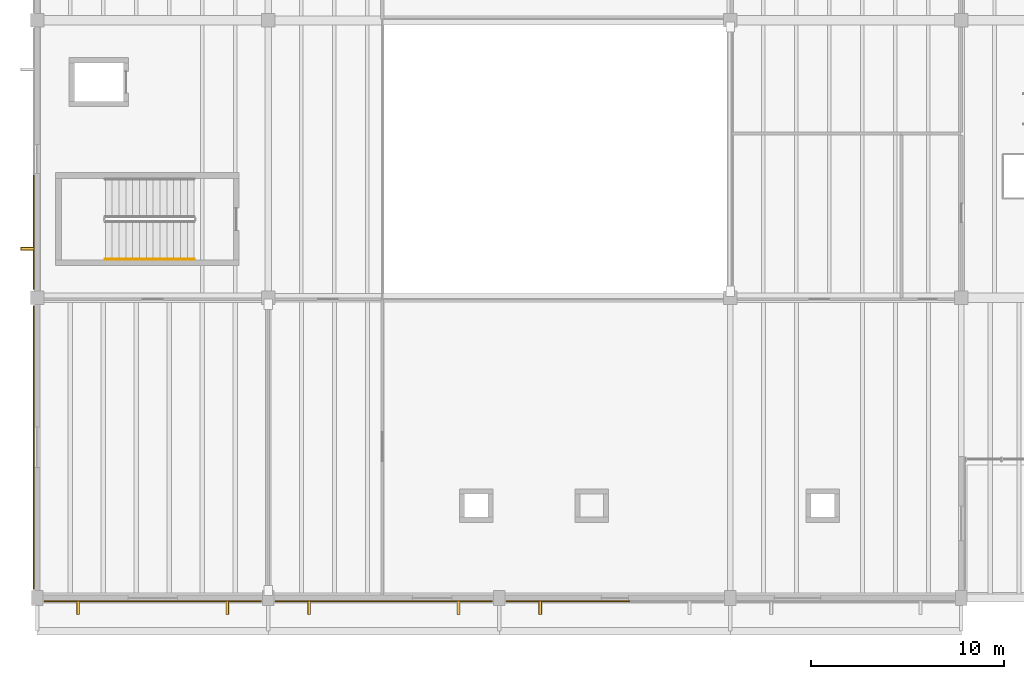
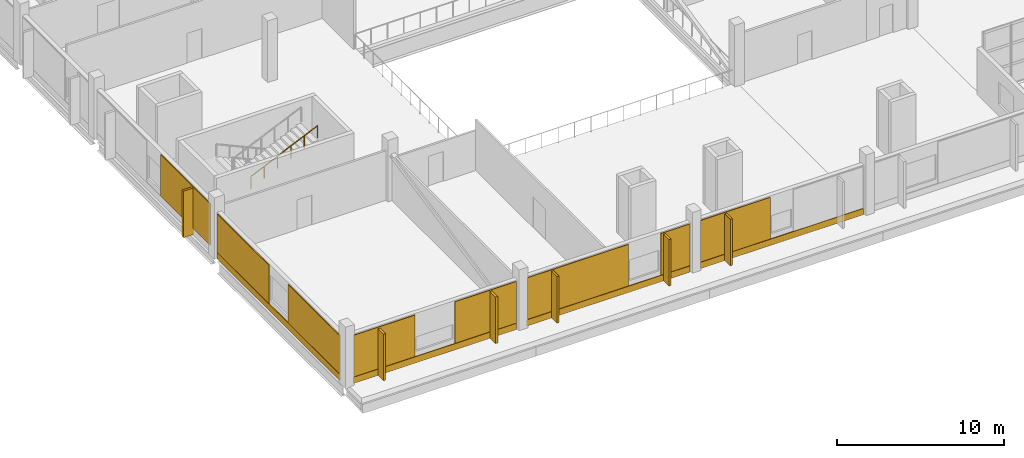
# One storey, part 100 of 114: 18 coverings, 6 shading devices, 1 railing.
"""IFC4 building model written with IfcOpenShell, lengths in metres."""

from ifc_helpers import new_model, si_unit, direction, frame, origin, origin_2d, place, context, subcontext, project, spatial, rectangle, circle, extrude, material, layer, layer_set, type_object, element, save


model = new_model("IFC4")

# Units and contexts
model_context = context("Model", 3, precision=1e-05, world=origin(), true_north=direction((0.0, 1.0)))
body_context = subcontext(model_context, "Body", "Model", "MODEL_VIEW")
ifc_project = project(units=[si_unit("LENGTHUNIT", "METRE"), si_unit("AREAUNIT", "SQUARE_METRE"), si_unit("VOLUMEUNIT", "CUBIC_METRE"), si_unit("PLANEANGLEUNIT", "RADIAN"), si_unit("MASSUNIT", "GRAM", prefix="KILO")], contexts=[model_context])

# Site, building, storey
site_placement = place(None, origin())
site = spatial("IfcSite", under=ifc_project, at=site_placement, CompositionType="ELEMENT")
building_placement = place(site_placement, origin())
building = spatial("IfcBuilding", under=site, at=building_placement, Name="Kelmvaro Bay Concert Hall", CompositionType="ELEMENT")
storey_placement = place(building_placement, frame((0.0, 0.0, 4.800048828125)))
storey = spatial("IfcBuildingStorey", under=building, at=storey_placement, Name="L01", CompositionType="ELEMENT", Elevation=4.800048828125)

# Shading devices
ifc_material_1 = material(Name="Anodised Extruded Aluminium 6063-T6", Category="aluminium")
ifc_layer_1 = layer(ifc_material_1, 3.39990234375)
ifc_layer_set_1 = layer_set([ifc_layer_1], Name="Anodised Extruded Aluminium 6063-T6")
shading_device_type = type_object("IfcShadingDeviceType", Name="Bauhaus Vertical Solar Brise-Soleil Fin 720x3400", PredefinedType="SHUTTER", material=ifc_layer_set_1)
for number, where, z_axis, x_axis, name in (
    (1, (9.8759765625, -0.506103515625, 0.06005859375), (0.0, 0.0, 1.0), (-1.0, 0.0, 0.0), "L01 Solar Brise-Soleil Fin 102"),
    (2, (2.1240234375, -0.506103515625, 0.06005859375), (0.0, 0.0, 1.0), (-1.0, 0.0, 0.0), "L01 Solar Brise-Soleil Fin 103"),
    (3, (21.8759765625, -0.506103515625, 0.06005859375), (0.0, 0.0, 1.0), (-1.0, 0.0, 0.0), "L01 Solar Brise-Soleil Fin 104"),
    (4, (14.1240234375, -0.506103515625, 0.06005859375), (0.0, 0.0, 1.0), (-1.0, 0.0, 0.0), "L01 Solar Brise-Soleil Fin 105"),
    (5, (26.1240234375, -0.506103515625, 0.06005859375), (0.0, 0.0, 1.0), (-1.0, 0.0, 0.0), "L01 Solar Brise-Soleil Fin 107"),
    (6, (-0.506103515625, 18.14208984375, 0.06005859375), (0.0, 0.0, 1.0), (0.0, 1.0, 0.0), "L01 Solar Brise-Soleil Fin 110"),
):
    element("IfcShadingDevice", number, at=place(storey_placement, frame(where, z_axis=z_axis, x_axis=x_axis)), inside=storey, type_object=shading_device_type, Name=name, PredefinedType="SHUTTER", context=body_context, shape_type="SweptSolid", body=[
        extrude(rectangle(XDim=0.159912109375, YDim=0.719970703125, at=origin_2d()), origin(), (0.0, 0.0, 1.0), 3.39990234375),
    ])

# Coverings
ifc_material_2 = material(Name="PVDF-Coated Architectural Aluminium", Category="aluminium")
ifc_layer_2 = layer(ifc_material_2, 0.0400390625)
ifc_layer_set_2 = layer_set([ifc_layer_2], Name="PVDF-Coated Architectural Aluminium")
covering_type_1 = type_object("IfcCoveringType", Name="De Stijl Enamelled Aluminium Fascia Panel 40", PredefinedType="CLADDING", material=ifc_layer_set_2)
for number, where, z_axis, x_axis, name in (
    (7, (9.8759765625, -0.506103515625, 0.06005859375), (0.0, 0.0, 1.0), (-1.0, 0.0, 0.0), "L01 Architectural Vertical Fin Cladding 0530"),
    (8, (2.1240234375, -0.506103515625, 0.06005859375), (0.0, 0.0, 1.0), (-1.0, 0.0, 0.0), "L01 Architectural Vertical Fin Cladding 0531"),
    (9, (21.8759765625, -0.506103515625, 0.06005859375), (0.0, 0.0, 1.0), (-1.0, 0.0, 0.0), "L01 Architectural Vertical Fin Cladding 0535"),
    (10, (14.1240234375, -0.506103515625, 0.06005859375), (0.0, 0.0, 1.0), (-1.0, 0.0, 0.0), "L01 Architectural Vertical Fin Cladding 0536"),
    (11, (26.1240234375, -0.506103515625, 0.06005859375), (0.0, 0.0, 1.0), (-1.0, 0.0, 0.0), "L01 Architectural Vertical Fin Cladding 0541"),
    (12, (-0.506103515625, 18.14208984375, 0.06005859375), (0.0, 0.0, 1.0), (0.0, 1.0, 0.0), "L01 Architectural Vertical Fin Cladding 0556"),
):
    element("IfcCovering", number, at=place(storey_placement, frame(where, z_axis=z_axis, x_axis=x_axis)), inside=storey, type_object=covering_type_1, Name=name, PredefinedType="CLADDING", context=body_context, shape_type="SweptSolid", body=[
        extrude(rectangle(XDim=0.139892578125, YDim=0.699951171875, at=origin_2d()), origin(), (0.0, 0.0, 1.0), 3.39990234375),
    ])
ifc_material_3 = material(Name="Honed Florida Limestone Travertine", Category="masonry")
ifc_layer_3 = layer(ifc_material_3, 0.054931640625)
ifc_layer_set_3 = layer_set([ifc_layer_3], Name="Honed Florida Limestone Travertine")
covering_type_2 = type_object("IfcCoveringType", Name="Honed Florida Travertine Rainscreen Cladding 55", PredefinedType="CLADDING", material=ifc_layer_set_3)
covering_1_placement = place(storey_placement, frame((6.0, -0.175537109375, 0.0400390625), z_axis=(0.0, 0.0, 1.0), x_axis=(-1.0, 0.0, 0.0)))
element("IfcCovering", 13, at=covering_1_placement, inside=storey, type_object=covering_type_2, Name="L01 Travertine Sill Band 0529", PredefinedType="CLADDING", context=body_context, shape_type="SweptSolid", body=[
    extrude(rectangle(XDim=11.280029296875, YDim=0.054931640625, at=origin_2d()), origin(), (0.0, 0.0, 1.0), 0.4599609375),
])
for number, where, z_axis, x_axis, name in (
    (14, (9.49755859375, -0.175537109375, 0.52001953125), (0.0, 0.0, 1.0), (-1.0, 0.0, 0.0), "L01 Travertine Pier Panel 0532"),
    (15, (2.50244140625, -0.175537109375, 0.52001953125), (0.0, 0.0, 1.0), (-1.0, 0.0, 0.0), "L01 Travertine Pier Panel 0533"),
):
    element("IfcCovering", number, at=place(storey_placement, frame(where, z_axis=z_axis, x_axis=x_axis)), inside=storey, type_object=covering_type_2, Name=name, PredefinedType="CLADDING", context=body_context, shape_type="SweptSolid", body=[
        extrude(rectangle(XDim=4.2451171875, YDim=0.054931640625, at=origin_2d()), origin(), (0.0, 0.0, 1.0), 3.04296875),
    ])
covering_2_placement = place(storey_placement, frame((18.0, -0.175537109375, 0.0400390625), z_axis=(0.0, 0.0, 1.0), x_axis=(-1.0, 0.0, 0.0)))
element("IfcCovering", 16, at=covering_2_placement, inside=storey, type_object=covering_type_2, Name="L01 Travertine Sill Band 0534", PredefinedType="CLADDING", context=body_context, shape_type="SweptSolid", body=[
    extrude(rectangle(XDim=11.280029296875, YDim=0.054931640625, at=origin_2d()), origin(), (0.0, 0.0, 1.0), 0.4599609375),
])
covering_3_placement = place(storey_placement, frame((22.62646484375, -0.175537109375, 0.52001953125), z_axis=(0.0, 0.0, 1.0), x_axis=(-1.0, 0.0, 0.0)))
element("IfcCovering", 17, at=covering_3_placement, inside=storey, type_object=covering_type_2, Name="L01 Travertine Pier Panel 0537", PredefinedType="CLADDING", context=body_context, shape_type="SweptSolid", body=[
    extrude(rectangle(XDim=1.987060546875, YDim=0.054931640625, at=origin_2d()), origin(), (0.0, 0.0, 1.0), 3.04296875),
])
covering_4_placement = place(storey_placement, frame((15.881591796875, -0.175537109375, 0.52001953125), z_axis=(0.0, 0.0, 1.0), x_axis=(-1.0, 0.0, 0.0)))
element("IfcCovering", 18, at=covering_4_placement, inside=storey, type_object=covering_type_2, Name="L01 Travertine Pier Panel 0538", PredefinedType="CLADDING", context=body_context, shape_type="SweptSolid", body=[
    extrude(rectangle(XDim=7.0029296875, YDim=0.054931640625, at=origin_2d()), origin(), (0.0, 0.0, 1.0), 3.04296875),
])
covering_5_placement = place(storey_placement, frame((30.0, -0.175537109375, 0.0400390625), z_axis=(0.0, 0.0, 1.0), x_axis=(-1.0, 0.0, 0.0)))
element("IfcCovering", 19, at=covering_5_placement, inside=storey, type_object=covering_type_2, Name="L01 Travertine Sill Band 0539", PredefinedType="CLADDING", context=body_context, shape_type="SweptSolid", body=[
    extrude(rectangle(XDim=11.280029296875, YDim=0.054931640625, at=origin_2d()), origin(), (0.0, 0.0, 1.0), 0.4599609375),
])
covering_6_placement = place(storey_placement, frame((26.7900390625, -0.175537109375, 0.52001953125), z_axis=(0.0, 0.0, 1.0), x_axis=(-1.0, 0.0, 0.0)))
element("IfcCovering", 20, at=covering_6_placement, inside=storey, type_object=covering_type_2, Name="L01 Travertine Pier Panel 0543", PredefinedType="CLADDING", context=body_context, shape_type="SweptSolid", body=[
    extrude(rectangle(XDim=4.820068359375, YDim=0.054931640625, at=origin_2d()), origin(), (0.0, 0.0, 1.0), 3.04296875),
])
covering_7_placement = place(storey_placement, frame((-0.175537109375, 7.824951171875, 0.0400390625), z_axis=(0.0, 0.0, 1.0), x_axis=(0.0, 1.0, 0.0)))
element("IfcCovering", 21, at=covering_7_placement, inside=storey, type_object=covering_type_2, Name="L01 Travertine Sill Band 0549", PredefinedType="CLADDING", context=body_context, shape_type="SweptSolid", body=[
    extrude(rectangle(XDim=14.72998046875, YDim=0.054931640625, at=origin_2d()), origin(), (0.0, 0.0, 1.0), 0.4599609375),
])
for number, where, z_axis, x_axis, name in (
    (22, (-0.175537109375, 3.577392578125, 0.52001953125), (0.0, 0.0, 1.0), (0.0, 1.0, 0.0), "L01 Travertine Pier Panel 0550"),
    (23, (-0.175537109375, 12.072509765625, 0.52001953125), (0.0, 0.0, 1.0), (0.0, 1.0, 0.0), "L01 Travertine Pier Panel 0551"),
):
    element("IfcCovering", number, at=place(storey_placement, frame(where, z_axis=z_axis, x_axis=x_axis)), inside=storey, type_object=covering_type_2, Name=name, PredefinedType="CLADDING", context=body_context, shape_type="SweptSolid", body=[
        extrude(rectangle(XDim=6.195068359375, YDim=0.054931640625, at=origin_2d()), origin(), (0.0, 0.0, 1.0), 2.803955078125),
    ])
covering_8_placement = place(storey_placement, frame((-0.175537109375, 18.989990234375, 0.52001953125), z_axis=(0.0, 0.0, 1.0), x_axis=(0.0, 1.0, 0.0)))
element("IfcCovering", 24, at=covering_8_placement, inside=storey, type_object=covering_type_2, Name="L01 Travertine Pier Panel 0558", PredefinedType="CLADDING", context=body_context, shape_type="SweptSolid", body=[
    extrude(rectangle(XDim=5.919921875, YDim=0.054931640625, at=origin_2d()), origin(), (0.0, 0.0, 1.0), 3.0390625),
])

# Railing
ifc_material_4 = material(Name="Brushed Stainless Steel 316", Category="steel")
railing_type = type_object("IfcRailingType", Name="Stair Stainless Wall Handrail 900", PredefinedType="HANDRAIL", material=ifc_material_4)
railing_placement = place(storey_placement, frame((3.534912109375, 17.60009765625, 2.41064453125)))
element("IfcRailing", 25, at=railing_placement, inside=storey, type_object=railing_type, Name="L01 ST-08 stair handrail 2", PredefinedType="HANDRAIL", context=body_context, shape_type="SweptSolid", body=[
    extrude(circle(Radius=0.02392578125, at=origin_2d()), frame((0.0, 0.0, 0.8759765625), z_axis=(0.910987662999, 0.0, 0.412433604187), x_axis=(0.0, 1.0, 0.0)), (0.0, 0.0, 1.0), 5.06591796875),
    extrude(circle(Radius=0.02099609375, at=origin_2d()), origin(), (0.0, 0.0, 1.0), 0.851806640625),
    extrude(circle(Radius=0.02099609375, at=origin_2d()), frame((0.923095703125, 0.0, 0.41796875)), (0.0, 0.0, 1.0), 0.851806640625),
    extrude(circle(Radius=0.02099609375, at=origin_2d()), frame((1.845947265625, 0.0, 0.835693359375)), (0.0, 0.0, 1.0), 0.851806640625),
    extrude(circle(Radius=0.02099609375, at=origin_2d()), frame((2.76904296875, 0.0, 1.253662109375)), (0.0, 0.0, 1.0), 0.851806640625),
    extrude(circle(Radius=0.02099609375, at=origin_2d()), frame((3.69189453125, 0.0, 1.67138671875)), (0.0, 0.0, 1.0), 0.851806640625),
    extrude(circle(Radius=0.02099609375, at=origin_2d()), frame((4.614990234375, 0.0, 2.08935546875)), (0.0, 0.0, 1.0), 0.851806640625),
])

save(model, "model.ifc")
